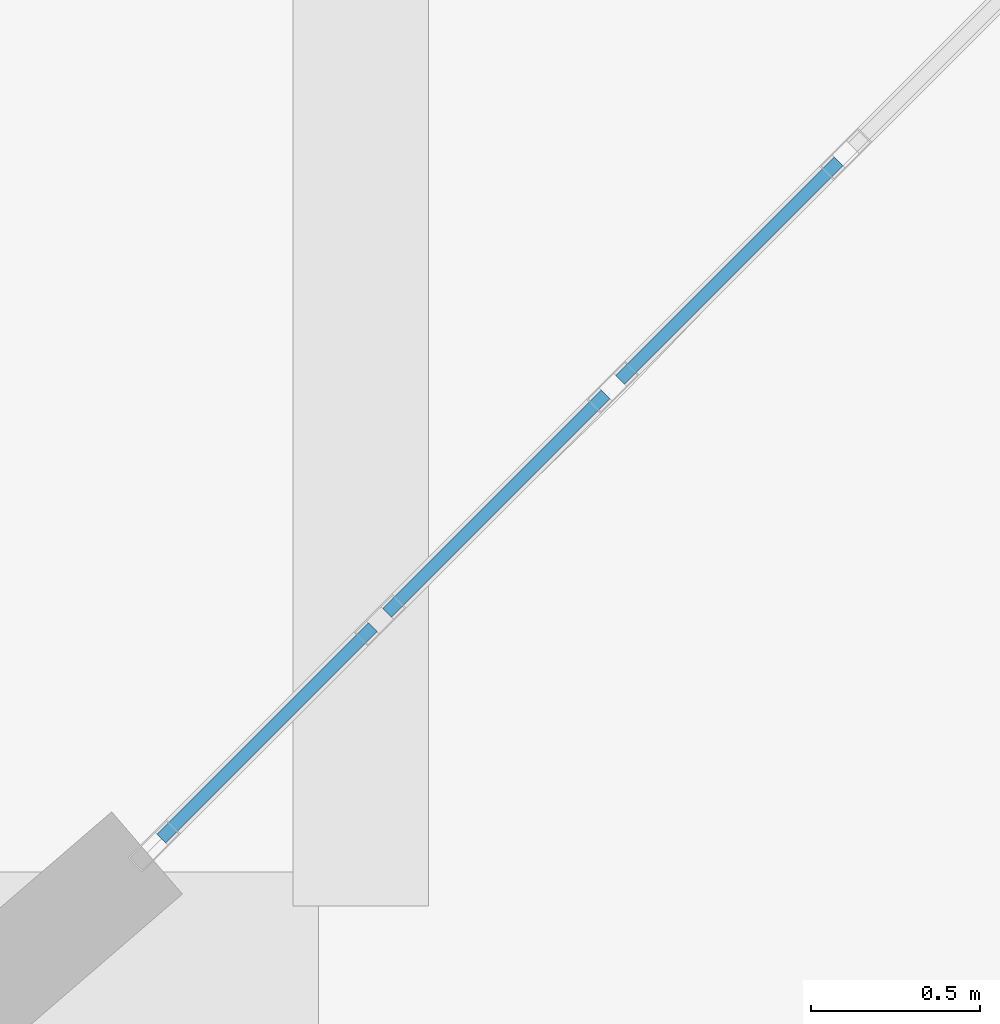
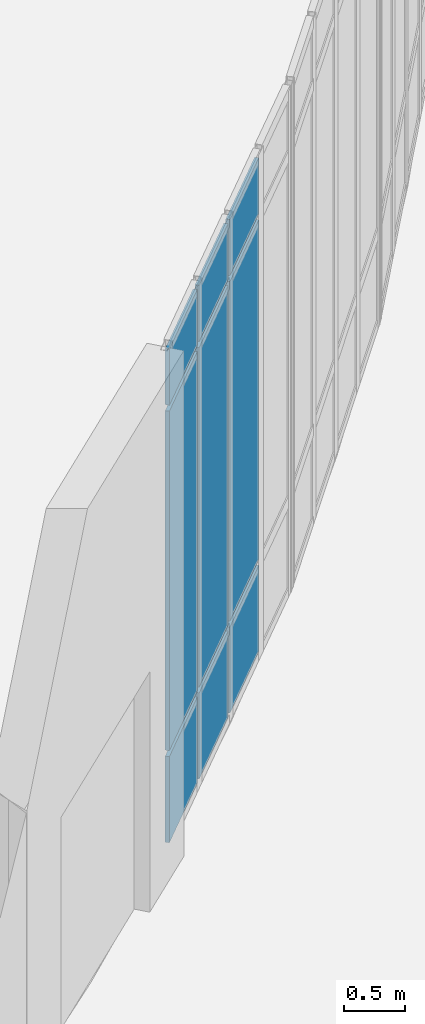
# One storey, part 79 of 110: 9 plates, 1 element without a shape of its own.
"""IFC4 building model written with IfcOpenShell, lengths in metres."""

from ifc_helpers import new_model, si_unit, direction, frame, origin, origin_2d, place, context, subcontext, project, spatial, rectangle, extrude, material, layer, layer_set, type_object, element, aggregate, save


model = new_model("IFC4")

# Units and contexts
model_context = context("Model", 3, precision=1e-05, world=origin(), true_north=direction((0.0, 1.0)))
body_context = subcontext(model_context, "Body", "Model", "MODEL_VIEW")
ifc_project = project(units=[si_unit("LENGTHUNIT", "METRE"), si_unit("AREAUNIT", "SQUARE_METRE"), si_unit("VOLUMEUNIT", "CUBIC_METRE"), si_unit("PLANEANGLEUNIT", "RADIAN"), si_unit("MASSUNIT", "GRAM", prefix="KILO")], contexts=[model_context])

# Site, building, storey
site_placement = place(None, origin())
site = spatial("IfcSite", under=ifc_project, at=site_placement, CompositionType="ELEMENT")
building_placement = place(site_placement, origin())
building = spatial("IfcBuilding", under=site, at=building_placement, Name="Kalluvel Institute of Natural Sciences", CompositionType="ELEMENT")
storey_placement = place(building_placement, origin())
storey = spatial("IfcBuildingStorey", under=building, at=storey_placement, Name="L00", CompositionType="ELEMENT", Elevation=0.0)

# Curtain wall, plates
ifc_material_1 = material(Name="Aluminium AW-6063 T6", Category="aluminium")
curtain_wall_type = type_object("IfcCurtainWallType", Name="CW-ATR-L00", PredefinedType="USERDEFINED", material=ifc_material_1)
curtain_wall_placement = place(storey_placement, origin())
curtain_wall = element("IfcCurtainWall", 1, at=curtain_wall_placement, inside=storey, type_object=curtain_wall_type, Name="L00 Gothic lancet curtain wall CWA-L00-X710-Y647", ObjectType="UNITISED LANCET FACADE", PredefinedType="USERDEFINED")
ifc_material_2 = material(Name="Solar-Control Low-E Laminated Glass", Category="glass")
ifc_layer = layer(ifc_material_2, 0.035888671875)
ifc_layer_set = layer_set([ifc_layer], Name="Solar-Control Low-E Laminated Glass")
plate_type = type_object("IfcPlateType", Name="CWP-DGU-36", PredefinedType="CURTAIN_PANEL", material=ifc_layer_set)
plate_1_placement = place(storey_placement, frame((71.3232421875, 65.03564453125, 0.06005859375), z_axis=(0.0, 0.0, 1.0), x_axis=(0.707106781187, 0.707106781187, 0.0)))
plate_1 = element("IfcPlate", 2, at=plate_1_placement, type_object=plate_type, Name="CW-06 panel 1.1", PredefinedType="CURTAIN_PANEL", context=body_context, shape_type="SweptSolid", body=[
    extrude(rectangle(XDim=0.882080078125, YDim=0.035888671875, at=origin_2d()), origin(), (0.0, 0.0, 1.0), 0.860107421875),
])
plate_2_placement = place(storey_placement, frame((71.3232421875, 65.03564453125, 0.97998046875), z_axis=(0.0, 0.0, 1.0), x_axis=(0.707106781187, 0.707106781187, 0.0)))
plate_2 = element("IfcPlate", 3, at=plate_2_placement, type_object=plate_type, Name="CW-06 panel 1.2", PredefinedType="CURTAIN_PANEL", context=body_context, shape_type="SweptSolid", body=[
    extrude(rectangle(XDim=0.882080078125, YDim=0.035888671875, at=origin_2d()), origin(), (0.0, 0.0, 1.0), 3.389892578125),
])
plate_3_placement = place(storey_placement, frame((71.3232421875, 65.03564453125, 4.429931640625), z_axis=(0.0, 0.0, 1.0), x_axis=(0.707106781187, 0.707106781187, 0.0)))
plate_3 = element("IfcPlate", 4, at=plate_3_placement, type_object=plate_type, Name="CW-06 panel 1.3", PredefinedType="CURTAIN_PANEL", context=body_context, shape_type="SweptSolid", body=[
    extrude(rectangle(XDim=0.882080078125, YDim=0.035888671875, at=origin_2d()), origin(), (0.0, 0.0, 1.0), 0.56005859375),
])
plate_4_placement = place(storey_placement, frame((72.000244140625, 65.71240234375, 0.06005859375), z_axis=(0.0, 0.0, 1.0), x_axis=(0.707106781187, 0.707106781187, 0.0)))
plate_4 = element("IfcPlate", 5, at=plate_4_placement, type_object=plate_type, Name="CW-06 panel 2.1", PredefinedType="CURTAIN_PANEL", context=body_context, shape_type="SweptSolid", body=[
    extrude(rectangle(XDim=0.912109375, YDim=0.035888671875, at=origin_2d()), origin(), (0.0, 0.0, 1.0), 0.860107421875),
])
plate_5_placement = place(storey_placement, frame((72.000244140625, 65.71240234375, 0.97998046875), z_axis=(0.0, 0.0, 1.0), x_axis=(0.707106781187, 0.707106781187, 0.0)))
plate_5 = element("IfcPlate", 6, at=plate_5_placement, type_object=plate_type, Name="CW-06 panel 2.2", PredefinedType="CURTAIN_PANEL", context=body_context, shape_type="SweptSolid", body=[
    extrude(rectangle(XDim=0.912109375, YDim=0.035888671875, at=origin_2d()), origin(), (0.0, 0.0, 1.0), 3.389892578125),
])
plate_6_placement = place(storey_placement, frame((72.000244140625, 65.71240234375, 4.429931640625), z_axis=(0.0, 0.0, 1.0), x_axis=(0.707106781187, 0.707106781187, 0.0)))
plate_6 = element("IfcPlate", 7, at=plate_6_placement, type_object=plate_type, Name="CW-06 panel 2.3", PredefinedType="CURTAIN_PANEL", context=body_context, shape_type="SweptSolid", body=[
    extrude(rectangle(XDim=0.912109375, YDim=0.035888671875, at=origin_2d()), origin(), (0.0, 0.0, 1.0), 0.56005859375),
])
plate_7_placement = place(storey_placement, frame((72.6875, 66.39990234375, 0.06005859375), z_axis=(0.0, 0.0, 1.0), x_axis=(0.707106781187, 0.707106781187, 0.0)))
plate_7 = element("IfcPlate", 8, at=plate_7_placement, type_object=plate_type, Name="CW-06 panel 3.1", PredefinedType="CURTAIN_PANEL", context=body_context, shape_type="SweptSolid", body=[
    extrude(rectangle(XDim=0.912109375, YDim=0.035888671875, at=origin_2d()), origin(), (0.0, 0.0, 1.0), 0.860107421875),
])
plate_8_placement = place(storey_placement, frame((72.6875, 66.39990234375, 0.97998046875), z_axis=(0.0, 0.0, 1.0), x_axis=(0.707106781187, 0.707106781187, 0.0)))
plate_8 = element("IfcPlate", 9, at=plate_8_placement, type_object=plate_type, Name="CW-06 panel 3.2", PredefinedType="CURTAIN_PANEL", context=body_context, shape_type="SweptSolid", body=[
    extrude(rectangle(XDim=0.912109375, YDim=0.035888671875, at=origin_2d()), origin(), (0.0, 0.0, 1.0), 3.389892578125),
])
plate_9_placement = place(storey_placement, frame((72.6875, 66.39990234375, 4.429931640625), z_axis=(0.0, 0.0, 1.0), x_axis=(0.707106781187, 0.707106781187, 0.0)))
plate_9 = element("IfcPlate", 10, at=plate_9_placement, type_object=plate_type, Name="CW-06 panel 3.3", PredefinedType="CURTAIN_PANEL", context=body_context, shape_type="SweptSolid", body=[
    extrude(rectangle(XDim=0.912109375, YDim=0.035888671875, at=origin_2d()), origin(), (0.0, 0.0, 1.0), 0.56005859375),
])
aggregate(curtain_wall, [plate_1, plate_2, plate_3, plate_4, plate_5, plate_6, plate_7, plate_8, plate_9])

save(model, "model.ifc")
